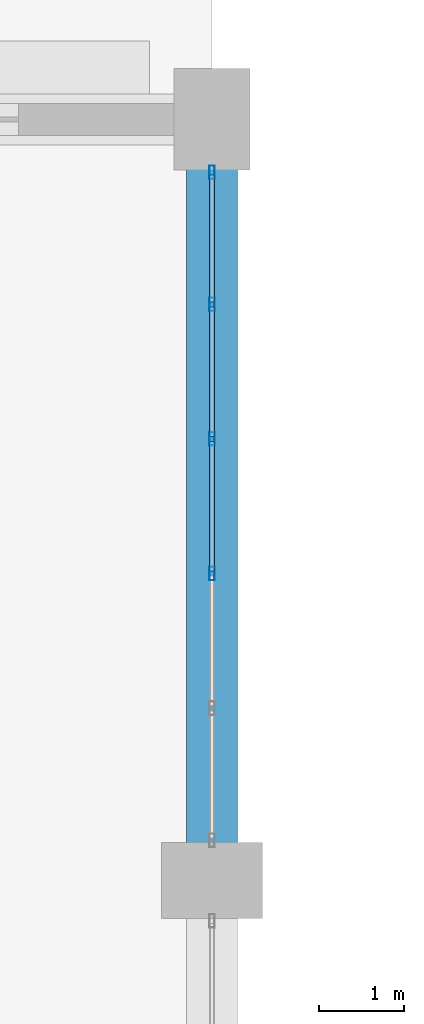
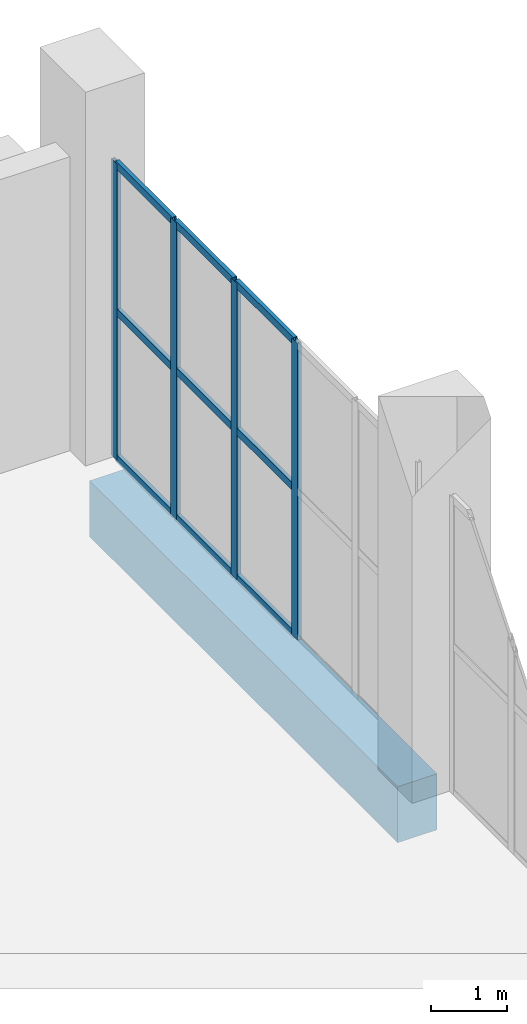
# One storey, part 47 of 91: 13 members, 1 beam, 1 element without a shape of its own.
"""IFC4 building model written with IfcOpenShell, lengths in metres."""

from ifc_helpers import new_model, si_unit, direction, frame, origin, origin_2d, place, context, subcontext, project, spatial, rectangle, hollow_rectangle, extrude, material, layer, layer_set, material_profile, profile_set, type_object, element, aggregate, save


model = new_model("IFC4")

# Units and contexts
model_context = context("Model", 3, precision=1e-05, world=origin(), true_north=direction((0.0, 1.0)))
body_context = subcontext(model_context, "Body", "Model", "MODEL_VIEW")
ifc_project = project(units=[si_unit("LENGTHUNIT", "METRE"), si_unit("AREAUNIT", "SQUARE_METRE"), si_unit("VOLUMEUNIT", "CUBIC_METRE"), si_unit("PLANEANGLEUNIT", "RADIAN"), si_unit("MASSUNIT", "GRAM", prefix="KILO")], contexts=[model_context])

# Site, building, storey
site_placement = place(None, origin())
site = spatial("IfcSite", under=ifc_project, at=site_placement, CompositionType="ELEMENT")
building_placement = place(site_placement, origin())
building = spatial("IfcBuilding", under=site, at=building_placement, Name="Dornveld Trade and Exhibition Forum", CompositionType="ELEMENT")
storey_placement = place(building_placement, origin())
storey = spatial("IfcBuildingStorey", under=building, at=storey_placement, Name="L00", CompositionType="ELEMENT", Elevation=0.0)

# Beam
ifc_material_1 = material(Name="Concrete C40/50", Category="concrete")
ifc_material_profile_1 = material_profile(ifc_material_1, rectangle(XDim=0.60009765625, YDim=0.89990234375, at=origin_2d()), Name="RC-GB 600x900")
ifc_profile_set_1 = profile_set([ifc_material_profile_1], Name="Concrete C40/50")
beam_type = type_object("IfcBeamType", Name="BM-GB-600x900", PredefinedType="BEAM", material=ifc_profile_set_1)
beam_placement = place(storey_placement, frame((171.0, 153.446044921875, -0.830078125), z_axis=(0.0, 1.0, 0.0), x_axis=(-1.0, 0.0, 0.0)))
element("IfcBeam", 1, at=beam_placement, inside=storey, type_object=beam_type, Name="L00 Y-girder 522", PredefinedType="BEAM", context=body_context, shape_type="SweptSolid", body=[
    extrude(rectangle(XDim=0.60009765625, YDim=0.89990234375, at=origin_2d()), origin(), (0.0, 0.0, 1.0), 8.10791015625),
])

# Curtain wall, members
ifc_material_2 = material(Name="Dark-bronze anodised aluminium and low-E glass", Category="aluminium")
ifc_layer = layer(ifc_material_2, 0.159912109375)
ifc_layer_set = layer_set([ifc_layer], Name="Dark-bronze anodised aluminium and low-E glass")
curtain_wall_type = type_object("IfcCurtainWallType", Name="CW-SYS-06", PredefinedType="USERDEFINED", material=ifc_layer_set)
curtain_wall_placement = place(storey_placement, origin())
curtain_wall = element("IfcCurtainWall", 2, at=curtain_wall_placement, inside=storey, type_object=curtain_wall_type, Name="L00 unitised curtain wall 6", ObjectType="UNITISED_CURTAIN_WALL", PredefinedType="USERDEFINED")
ifc_material_3 = material(Name="Dark-bronze anodised aluminium", Category="aluminium")
ifc_material_profile_2 = material_profile(ifc_material_3, hollow_rectangle(XDim=0.06005859375, YDim=0.159912109375, WallThickness=0.00390625, at=origin_2d()), Name="RHS 160x60x4")
ifc_profile_set_2 = profile_set([ifc_material_profile_2], Name="Dark-bronze anodised aluminium")
member_type_1 = type_object("IfcMemberType", Name="CW-MUL-160", PredefinedType="MULLION", material=ifc_profile_set_2)
member_1_placement = place(storey_placement, frame((171.0, 156.629150390625, -0.00390625), z_axis=(0.0, 0.0, 1.0), x_axis=(-1.0, 0.0, 0.0)))
member_1 = element("IfcMember", 3, at=member_1_placement, type_object=member_type_1, Name="CW-06 mullion 3", PredefinedType="MULLION", context=body_context, shape_type="SweptSolid", body=[
    extrude(hollow_rectangle(XDim=0.06005859375, YDim=0.159912109375, WallThickness=0.00390625, at=origin_2d()), origin(), (0.0, 0.0, 1.0), 4.763916015625),
])
member_2_placement = place(storey_placement, frame((171.0, 158.220703125, -0.00390625), z_axis=(0.0, 0.0, 1.0), x_axis=(-1.0, 0.0, 0.0)))
member_2 = element("IfcMember", 4, at=member_2_placement, type_object=member_type_1, Name="CW-06 mullion 4", PredefinedType="MULLION", context=body_context, shape_type="SweptSolid", body=[
    extrude(hollow_rectangle(XDim=0.06005859375, YDim=0.159912109375, WallThickness=0.00390625, at=origin_2d()), origin(), (0.0, 0.0, 1.0), 4.763916015625),
])
member_3_placement = place(storey_placement, frame((171.0, 159.8125, -0.00390625), z_axis=(0.0, 0.0, 1.0), x_axis=(-1.0, 0.0, 0.0)))
member_3 = element("IfcMember", 5, at=member_3_placement, type_object=member_type_1, Name="CW-06 mullion 5", PredefinedType="MULLION", context=body_context, shape_type="SweptSolid", body=[
    extrude(hollow_rectangle(XDim=0.06005859375, YDim=0.159912109375, WallThickness=0.00390625, at=origin_2d()), origin(), (0.0, 0.0, 1.0), 4.763916015625),
])
member_4_placement = place(storey_placement, frame((171.0, 161.3740234375, -0.00390625), z_axis=(0.0, 0.0, 1.0), x_axis=(-1.0, 0.0, 0.0)))
member_4 = element("IfcMember", 6, at=member_4_placement, type_object=member_type_1, Name="CW-06 mullion 6", PredefinedType="MULLION", context=body_context, shape_type="SweptSolid", body=[
    extrude(hollow_rectangle(XDim=0.06005859375, YDim=0.159912109375, WallThickness=0.00390625, at=origin_2d()), origin(), (0.0, 0.0, 1.0), 4.763916015625),
])
ifc_material_4 = material(Name="Dark-bronze anodised aluminium", Category="aluminium")
ifc_material_profile_3 = material_profile(ifc_material_4, hollow_rectangle(XDim=0.06005859375, YDim=0.1201171875, WallThickness=0.00390625, at=origin_2d()), Name="RHS 120x60x4")
ifc_profile_set_3 = profile_set([ifc_material_profile_3], Name="Dark-bronze anodised aluminium")
member_type_2 = type_object("IfcMemberType", Name="CW-TRN-120", PredefinedType="USERDEFINED", material=ifc_profile_set_3)
member_5_placement = place(storey_placement, frame((171.0, 156.6591796875, 0.02587890625), z_axis=(0.0, 1.0, 0.0), x_axis=(-1.0, 0.0, 0.0)))
member_5 = element("IfcMember", 7, at=member_5_placement, type_object=member_type_2, Name="CW-06 transom 3.1", ObjectType="TRANSOM", PredefinedType="USERDEFINED", context=body_context, shape_type="SweptSolid", body=[
    extrude(hollow_rectangle(XDim=0.06005859375, YDim=0.1201171875, WallThickness=0.00390625, at=origin_2d()), origin(), (0.0, 0.0, 1.0), 1.53173828125),
])
member_6_placement = place(storey_placement, frame((171.0, 156.6591796875, 2.3779296875), z_axis=(0.0, 1.0, 0.0), x_axis=(-1.0, 0.0, 0.0)))
member_6 = element("IfcMember", 8, at=member_6_placement, type_object=member_type_2, Name="CW-06 transom 3.2", ObjectType="TRANSOM", PredefinedType="USERDEFINED", context=body_context, shape_type="SweptSolid", body=[
    extrude(hollow_rectangle(XDim=0.06005859375, YDim=0.1201171875, WallThickness=0.00390625, at=origin_2d()), origin(), (0.0, 0.0, 1.0), 1.53173828125),
])
member_7_placement = place(storey_placement, frame((171.0, 156.6591796875, 4.72998046875), z_axis=(0.0, 1.0, 0.0), x_axis=(-1.0, 0.0, 0.0)))
member_7 = element("IfcMember", 9, at=member_7_placement, type_object=member_type_2, Name="CW-06 transom 3.3", ObjectType="TRANSOM", PredefinedType="USERDEFINED", context=body_context, shape_type="SweptSolid", body=[
    extrude(hollow_rectangle(XDim=0.06005859375, YDim=0.1201171875, WallThickness=0.00390625, at=origin_2d()), origin(), (0.0, 0.0, 1.0), 1.53173828125),
])
member_8_placement = place(storey_placement, frame((171.0, 158.250732421875, 0.02587890625), z_axis=(0.0, 1.0, 0.0), x_axis=(-1.0, 0.0, 0.0)))
member_8 = element("IfcMember", 10, at=member_8_placement, type_object=member_type_2, Name="CW-06 transom 4.1", ObjectType="TRANSOM", PredefinedType="USERDEFINED", context=body_context, shape_type="SweptSolid", body=[
    extrude(hollow_rectangle(XDim=0.06005859375, YDim=0.1201171875, WallThickness=0.00390625, at=origin_2d()), origin(), (0.0, 0.0, 1.0), 1.53173828125),
])
member_9_placement = place(storey_placement, frame((171.0, 158.250732421875, 2.3779296875), z_axis=(0.0, 1.0, 0.0), x_axis=(-1.0, 0.0, 0.0)))
member_9 = element("IfcMember", 11, at=member_9_placement, type_object=member_type_2, Name="CW-06 transom 4.2", ObjectType="TRANSOM", PredefinedType="USERDEFINED", context=body_context, shape_type="SweptSolid", body=[
    extrude(hollow_rectangle(XDim=0.06005859375, YDim=0.1201171875, WallThickness=0.00390625, at=origin_2d()), origin(), (0.0, 0.0, 1.0), 1.53173828125),
])
member_10_placement = place(storey_placement, frame((171.0, 158.250732421875, 4.72998046875), z_axis=(0.0, 1.0, 0.0), x_axis=(-1.0, 0.0, 0.0)))
member_10 = element("IfcMember", 12, at=member_10_placement, type_object=member_type_2, Name="CW-06 transom 4.3", ObjectType="TRANSOM", PredefinedType="USERDEFINED", context=body_context, shape_type="SweptSolid", body=[
    extrude(hollow_rectangle(XDim=0.06005859375, YDim=0.1201171875, WallThickness=0.00390625, at=origin_2d()), origin(), (0.0, 0.0, 1.0), 1.53173828125),
])
member_11_placement = place(storey_placement, frame((171.0, 159.84228515625, 0.02587890625), z_axis=(0.0, 1.0, 0.0), x_axis=(-1.0, 0.0, 0.0)))
member_11 = element("IfcMember", 13, at=member_11_placement, type_object=member_type_2, Name="CW-06 transom 5.1", ObjectType="TRANSOM", PredefinedType="USERDEFINED", context=body_context, shape_type="SweptSolid", body=[
    extrude(hollow_rectangle(XDim=0.06005859375, YDim=0.1201171875, WallThickness=0.00390625, at=origin_2d()), origin(), (0.0, 0.0, 1.0), 1.501708984375),
])
member_12_placement = place(storey_placement, frame((171.0, 159.84228515625, 2.3779296875), z_axis=(0.0, 1.0, 0.0), x_axis=(-1.0, 0.0, 0.0)))
member_12 = element("IfcMember", 14, at=member_12_placement, type_object=member_type_2, Name="CW-06 transom 5.2", ObjectType="TRANSOM", PredefinedType="USERDEFINED", context=body_context, shape_type="SweptSolid", body=[
    extrude(hollow_rectangle(XDim=0.06005859375, YDim=0.1201171875, WallThickness=0.00390625, at=origin_2d()), origin(), (0.0, 0.0, 1.0), 1.501708984375),
])
member_13_placement = place(storey_placement, frame((171.0, 159.84228515625, 4.72998046875), z_axis=(0.0, 1.0, 0.0), x_axis=(-1.0, 0.0, 0.0)))
member_13 = element("IfcMember", 15, at=member_13_placement, type_object=member_type_2, Name="CW-06 transom 5.3", ObjectType="TRANSOM", PredefinedType="USERDEFINED", context=body_context, shape_type="SweptSolid", body=[
    extrude(hollow_rectangle(XDim=0.06005859375, YDim=0.1201171875, WallThickness=0.00390625, at=origin_2d()), origin(), (0.0, 0.0, 1.0), 1.501708984375),
])
aggregate(curtain_wall, [member_1, member_2, member_3, member_4, member_5, member_6, member_7, member_8, member_9, member_10, member_11, member_12, member_13])

save(model, "model.ifc")
